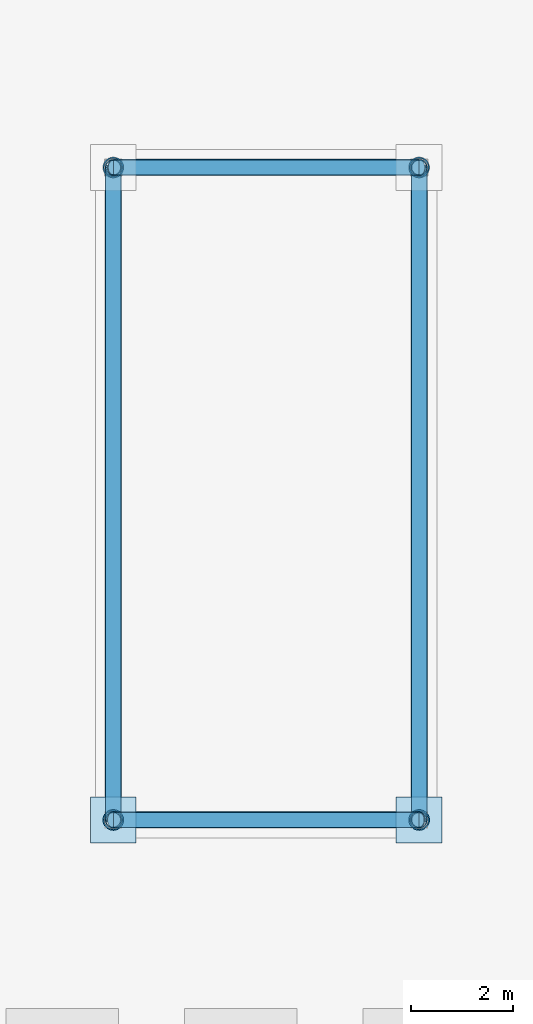
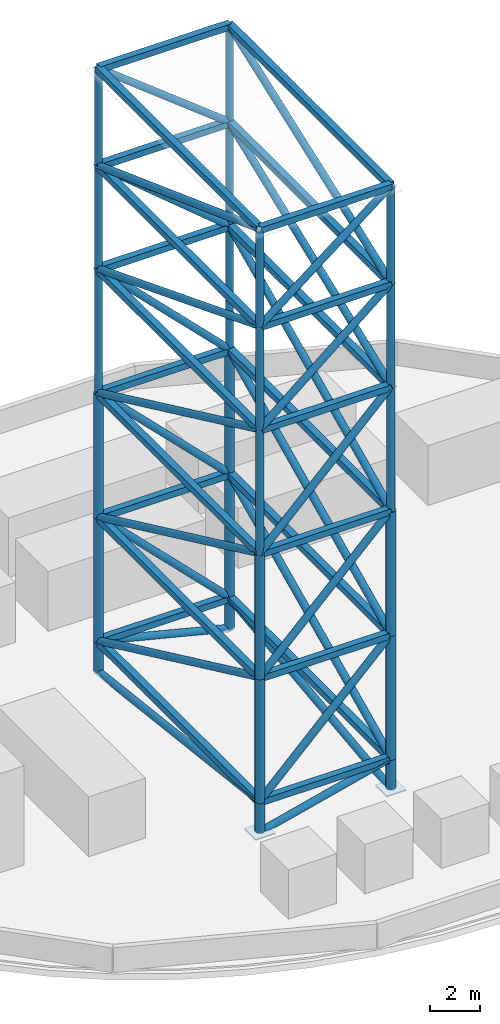
# One storey, part 1 of 4: 24 beams, 24 columns, 24 members, 2 plates.
"""IFC4 building model written with IfcOpenShell, lengths in metres."""

from ifc_helpers import new_model, si_unit, direction, frame, origin, origin_2d, place, context, subcontext, project, spatial, rectangle, hollow_rectangle, hollow_circle, extrude, material, layer, layer_set, material_profile, profile_set, type_object, element, save


model = new_model("IFC4")

# Units and contexts
model_context = context("Model", 3, precision=1e-05, world=origin(), true_north=direction((0.0, 1.0)))
body_context = subcontext(model_context, "Body", "Model", "MODEL_VIEW")
ifc_project = project(units=[si_unit("LENGTHUNIT", "METRE"), si_unit("AREAUNIT", "SQUARE_METRE"), si_unit("VOLUMEUNIT", "CUBIC_METRE"), si_unit("PLANEANGLEUNIT", "RADIAN"), si_unit("MASSUNIT", "GRAM", prefix="KILO")], contexts=[model_context])

# Site, building, storey
site_placement = place(None, origin())
site = spatial("IfcSite", under=ifc_project, at=site_placement, CompositionType="ELEMENT")
building_placement = place(site_placement, origin())
building = spatial("IfcBuilding", under=site, at=building_placement, Name="Kazevale Care Tower and Concert Hall", CompositionType="ELEMENT")
storey_placement = place(building_placement, frame((0.0, 0.0, 312.800048828125)))
storey = spatial("IfcBuildingStorey", under=building, at=storey_placement, Name="Roof Deck", CompositionType="ELEMENT", Elevation=312.800048828125)

# Columns
ifc_material = material(Name="Steel ASTM A572 Gr 50", Category="steel")
ifc_material_profile_1 = material_profile(ifc_material, hollow_circle(Radius=0.203125, WallThickness=0.02490234375, at=origin_2d()), Name="CHS406x25")
ifc_profile_set_1 = profile_set([ifc_material_profile_1], Name="Steel ASTM A572 Gr 50")
column_type_1 = type_object("IfcColumnType", Name="Broadcast Mast Leg CHS406x25", PredefinedType="USERDEFINED", material=ifc_profile_set_1)
for number, where, z_axis, x_axis, name in (
    (1, (30.0, 23.60009765625, 0.0), (0.0, 0.0, 1.0), (1.0, 0.0, 0.0), "col:RF:mast_leg:T1:L1"),
    (2, (36.0, 23.60009765625, 0.0), (0.0, 0.0, 1.0), (1.0, 0.0, 0.0), "col:RF:mast_leg:T1:L2"),
    (3, (36.0, 36.39990234375, 0.0), (0.0, 0.0, 1.0), (1.0, 0.0, 0.0), "col:RF:mast_leg:T1:L3"),
    (4, (30.0, 36.39990234375, 0.0), (0.0, 0.0, 1.0), (1.0, 0.0, 0.0), "col:RF:mast_leg:T1:L4"),
):
    element("IfcColumn", number, at=place(storey_placement, frame(where, z_axis=z_axis, x_axis=x_axis)), inside=storey, type_object=column_type_1, Name=name, ObjectType="MAST", PredefinedType="USERDEFINED", context=body_context, shape_type="SweptSolid", body=[
        extrude(hollow_circle(Radius=0.203125, WallThickness=0.02490234375, at=origin_2d()), origin(), (0.0, 0.0, 1.0), 1.5),
    ])
for number, where, z_axis, x_axis, name in (
    (5, (30.0, 23.60009765625, 1.5), (0.0, 0.0, 1.0), (1.0, 0.0, 0.0), "col:RF:mast_leg:T2:L1"),
    (6, (36.0, 23.60009765625, 1.5), (0.0, 0.0, 1.0), (1.0, 0.0, 0.0), "col:RF:mast_leg:T2:L2"),
    (7, (36.0, 36.39990234375, 1.5), (0.0, 0.0, 1.0), (1.0, 0.0, 0.0), "col:RF:mast_leg:T2:L3"),
    (8, (30.0, 36.39990234375, 1.5), (0.0, 0.0, 1.0), (1.0, 0.0, 0.0), "col:RF:mast_leg:T2:L4"),
    (9, (30.0, 23.60009765625, 7.5), (0.0, 0.0, 1.0), (1.0, 0.0, 0.0), "col:RF:mast_leg:T3:L1"),
    (10, (36.0, 23.60009765625, 7.5), (0.0, 0.0, 1.0), (1.0, 0.0, 0.0), "col:RF:mast_leg:T3:L2"),
    (11, (36.0, 36.39990234375, 7.5), (0.0, 0.0, 1.0), (1.0, 0.0, 0.0), "col:RF:mast_leg:T3:L3"),
    (12, (30.0, 36.39990234375, 7.5), (0.0, 0.0, 1.0), (1.0, 0.0, 0.0), "col:RF:mast_leg:T3:L4"),
):
    element("IfcColumn", number, at=place(storey_placement, frame(where, z_axis=z_axis, x_axis=x_axis)), inside=storey, type_object=column_type_1, Name=name, ObjectType="MAST", PredefinedType="USERDEFINED", context=body_context, shape_type="SweptSolid", body=[
        extrude(hollow_circle(Radius=0.203125, WallThickness=0.02490234375, at=origin_2d()), origin(), (0.0, 0.0, 1.0), 6.0),
    ])
ifc_material_profile_2 = material_profile(ifc_material, hollow_circle(Radius=0.161865234375, WallThickness=0.02001953125, at=origin_2d()), Name="CHS324x20")
ifc_profile_set_2 = profile_set([ifc_material_profile_2], Name="Steel ASTM A572 Gr 50")
column_type_2 = type_object("IfcColumnType", Name="Broadcast Mast Upper Leg CHS324x20", PredefinedType="USERDEFINED", material=ifc_profile_set_2)
for number, where, z_axis, x_axis, name in (
    (13, (30.0, 23.60009765625, 13.5), (0.0, 0.0, 1.0), (1.0, 0.0, 0.0), "col:RF:mast_leg:T4:L1"),
    (14, (36.0, 23.60009765625, 13.5), (0.0, 0.0, 1.0), (1.0, 0.0, 0.0), "col:RF:mast_leg:T4:L2"),
    (15, (36.0, 36.39990234375, 13.5), (0.0, 0.0, 1.0), (1.0, 0.0, 0.0), "col:RF:mast_leg:T4:L3"),
    (16, (30.0, 36.39990234375, 13.5), (0.0, 0.0, 1.0), (1.0, 0.0, 0.0), "col:RF:mast_leg:T4:L4"),
):
    element("IfcColumn", number, at=place(storey_placement, frame(where, z_axis=z_axis, x_axis=x_axis)), inside=storey, type_object=column_type_2, Name=name, ObjectType="MAST", PredefinedType="USERDEFINED", context=body_context, shape_type="SweptSolid", body=[
        extrude(hollow_circle(Radius=0.161865234375, WallThickness=0.02001953125, at=origin_2d()), origin(), (0.0, 0.0, 1.0), 6.0),
    ])
for number, where, z_axis, x_axis, name in (
    (17, (30.0, 23.60009765625, 19.5), (0.0, 0.0, 1.0), (1.0, 0.0, 0.0), "col:RF:mast_leg:T5:L1"),
    (18, (36.0, 23.60009765625, 19.5), (0.0, 0.0, 1.0), (1.0, 0.0, 0.0), "col:RF:mast_leg:T5:L2"),
    (19, (36.0, 36.39990234375, 19.5), (0.0, 0.0, 1.0), (1.0, 0.0, 0.0), "col:RF:mast_leg:T5:L3"),
    (20, (30.0, 36.39990234375, 19.5), (0.0, 0.0, 1.0), (1.0, 0.0, 0.0), "col:RF:mast_leg:T5:L4"),
):
    element("IfcColumn", number, at=place(storey_placement, frame(where, z_axis=z_axis, x_axis=x_axis)), inside=storey, type_object=column_type_2, Name=name, ObjectType="MAST", PredefinedType="USERDEFINED", context=body_context, shape_type="SweptSolid", body=[
        extrude(hollow_circle(Radius=0.161865234375, WallThickness=0.02001953125, at=origin_2d()), origin(), (0.0, 0.0, 1.0), 5.0),
    ])
for number, where, z_axis, x_axis, name in (
    (21, (30.0, 23.60009765625, 24.5), (0.0, 0.0, 1.0), (1.0, 0.0, 0.0), "col:RF:mast_leg:T6:L1"),
    (22, (36.0, 23.60009765625, 24.5), (0.0, 0.0, 1.0), (1.0, 0.0, 0.0), "col:RF:mast_leg:T6:L2"),
    (23, (36.0, 36.39990234375, 24.5), (0.0, 0.0, 1.0), (1.0, 0.0, 0.0), "col:RF:mast_leg:T6:L3"),
    (24, (30.0, 36.39990234375, 24.5), (0.0, 0.0, 1.0), (1.0, 0.0, 0.0), "col:RF:mast_leg:T6:L4"),
):
    element("IfcColumn", number, at=place(storey_placement, frame(where, z_axis=z_axis, x_axis=x_axis)), inside=storey, type_object=column_type_2, Name=name, ObjectType="MAST", PredefinedType="USERDEFINED", context=body_context, shape_type="SweptSolid", body=[
        extrude(hollow_circle(Radius=0.161865234375, WallThickness=0.02001953125, at=origin_2d()), origin(), (0.0, 0.0, 1.0), 4.699951171875),
    ])

# Members
ifc_material_profile_3 = material_profile(ifc_material, hollow_circle(Radius=0.161865234375, WallThickness=0.02001953125, at=origin_2d()), Name="CHS324x20")
ifc_profile_set_3 = profile_set([ifc_material_profile_3], Name="Steel ASTM A572 Gr 50")
member_type = type_object("IfcMemberType", Name="Broadcast Mast Diagonal CHS324x20", PredefinedType="USERDEFINED", material=ifc_profile_set_3)
member_1_placement = place(storey_placement, frame((30.0, 23.60009765625, 0.0), z_axis=(0.970142500145, 0.0, 0.242535625036), x_axis=(0.0, 1.0, 0.0)))
element("IfcMember", 25, at=member_1_placement, inside=storey, type_object=member_type, Name="brace:RF:mast_diag:T1:F1", ObjectType="MAST", PredefinedType="USERDEFINED", context=body_context, shape_type="SweptSolid", body=[
    extrude(hollow_circle(Radius=0.161865234375, WallThickness=0.02001953125, at=origin_2d()), origin(), (0.0, 0.0, 1.0), 6.1845703125),
])
member_2_placement = place(storey_placement, frame((36.0, 23.60009765625, 0.0), z_axis=(0.0, 0.993203262175, 0.116392783299), x_axis=(-1.0, 0.0, 0.0)))
element("IfcMember", 26, at=member_2_placement, inside=storey, type_object=member_type, Name="brace:RF:mast_diag:T1:F2", ObjectType="MAST", PredefinedType="USERDEFINED", context=body_context, shape_type="SweptSolid", body=[
    extrude(hollow_circle(Radius=0.161865234375, WallThickness=0.02001953125, at=origin_2d()), origin(), (0.0, 0.0, 1.0), 12.887451171875),
])
member_3_placement = place(storey_placement, frame((36.0, 36.39990234375, 0.0), z_axis=(-0.970142500145, 0.0, 0.242535625036), x_axis=(0.0, -1.0, 0.0)))
element("IfcMember", 27, at=member_3_placement, inside=storey, type_object=member_type, Name="brace:RF:mast_diag:T1:F3", ObjectType="MAST", PredefinedType="USERDEFINED", context=body_context, shape_type="SweptSolid", body=[
    extrude(hollow_circle(Radius=0.161865234375, WallThickness=0.02001953125, at=origin_2d()), origin(), (0.0, 0.0, 1.0), 6.1845703125),
])
member_4_placement = place(storey_placement, frame((30.0, 36.39990234375, 0.0), z_axis=(0.0, -0.993203262175, 0.116392783299), x_axis=(1.0, 0.0, 0.0)))
element("IfcMember", 28, at=member_4_placement, inside=storey, type_object=member_type, Name="brace:RF:mast_diag:T1:F4", ObjectType="MAST", PredefinedType="USERDEFINED", context=body_context, shape_type="SweptSolid", body=[
    extrude(hollow_circle(Radius=0.161865234375, WallThickness=0.02001953125, at=origin_2d()), origin(), (0.0, 0.0, 1.0), 12.887451171875),
])
member_5_placement = place(storey_placement, frame((30.0, 23.60009765625, 1.5), z_axis=(0.707106781187, 0.0, 0.707106781187), x_axis=(0.0, 1.0, 0.0)))
element("IfcMember", 29, at=member_5_placement, inside=storey, type_object=member_type, Name="brace:RF:mast_diag:T2:F1", ObjectType="MAST", PredefinedType="USERDEFINED", context=body_context, shape_type="SweptSolid", body=[
    extrude(hollow_circle(Radius=0.161865234375, WallThickness=0.02001953125, at=origin_2d()), origin(), (0.0, 0.0, 1.0), 8.4853515625),
])
member_6_placement = place(storey_placement, frame((36.0, 23.60009765625, 1.5), z_axis=(0.0, 0.905456447004, 0.424439185961), x_axis=(-1.0, 0.0, 0.0)))
element("IfcMember", 30, at=member_6_placement, inside=storey, type_object=member_type, Name="brace:RF:mast_diag:T2:F2", ObjectType="MAST", PredefinedType="USERDEFINED", context=body_context, shape_type="SweptSolid", body=[
    extrude(hollow_circle(Radius=0.161865234375, WallThickness=0.02001953125, at=origin_2d()), origin(), (0.0, 0.0, 1.0), 14.13623046875),
])
member_7_placement = place(storey_placement, frame((36.0, 36.39990234375, 1.5), z_axis=(-0.707106781187, 0.0, 0.707106781187), x_axis=(0.0, -1.0, 0.0)))
element("IfcMember", 31, at=member_7_placement, inside=storey, type_object=member_type, Name="brace:RF:mast_diag:T2:F3", ObjectType="MAST", PredefinedType="USERDEFINED", context=body_context, shape_type="SweptSolid", body=[
    extrude(hollow_circle(Radius=0.161865234375, WallThickness=0.02001953125, at=origin_2d()), origin(), (0.0, 0.0, 1.0), 8.4853515625),
])
member_8_placement = place(storey_placement, frame((30.0, 36.39990234375, 1.5), z_axis=(0.0, -0.905456447004, 0.424439185961), x_axis=(1.0, 0.0, 0.0)))
element("IfcMember", 32, at=member_8_placement, inside=storey, type_object=member_type, Name="brace:RF:mast_diag:T2:F4", ObjectType="MAST", PredefinedType="USERDEFINED", context=body_context, shape_type="SweptSolid", body=[
    extrude(hollow_circle(Radius=0.161865234375, WallThickness=0.02001953125, at=origin_2d()), origin(), (0.0, 0.0, 1.0), 14.13623046875),
])
member_9_placement = place(storey_placement, frame((30.0, 23.60009765625, 7.5), z_axis=(0.707106781187, 0.0, 0.707106781187), x_axis=(0.0, 1.0, 0.0)))
element("IfcMember", 33, at=member_9_placement, inside=storey, type_object=member_type, Name="brace:RF:mast_diag:T3:F1", ObjectType="MAST", PredefinedType="USERDEFINED", context=body_context, shape_type="SweptSolid", body=[
    extrude(hollow_circle(Radius=0.161865234375, WallThickness=0.02001953125, at=origin_2d()), origin(), (0.0, 0.0, 1.0), 8.4853515625),
])
member_10_placement = place(storey_placement, frame((36.0, 23.60009765625, 7.5), z_axis=(0.0, 0.905456447004, 0.424439185961), x_axis=(-1.0, 0.0, 0.0)))
element("IfcMember", 34, at=member_10_placement, inside=storey, type_object=member_type, Name="brace:RF:mast_diag:T3:F2", ObjectType="MAST", PredefinedType="USERDEFINED", context=body_context, shape_type="SweptSolid", body=[
    extrude(hollow_circle(Radius=0.161865234375, WallThickness=0.02001953125, at=origin_2d()), origin(), (0.0, 0.0, 1.0), 14.13623046875),
])
member_11_placement = place(storey_placement, frame((36.0, 36.39990234375, 7.5), z_axis=(-0.707106781187, 0.0, 0.707106781187), x_axis=(0.0, -1.0, 0.0)))
element("IfcMember", 35, at=member_11_placement, inside=storey, type_object=member_type, Name="brace:RF:mast_diag:T3:F3", ObjectType="MAST", PredefinedType="USERDEFINED", context=body_context, shape_type="SweptSolid", body=[
    extrude(hollow_circle(Radius=0.161865234375, WallThickness=0.02001953125, at=origin_2d()), origin(), (0.0, 0.0, 1.0), 8.4853515625),
])
member_12_placement = place(storey_placement, frame((30.0, 36.39990234375, 7.5), z_axis=(0.0, -0.905456447004, 0.424439185961), x_axis=(1.0, 0.0, 0.0)))
element("IfcMember", 36, at=member_12_placement, inside=storey, type_object=member_type, Name="brace:RF:mast_diag:T3:F4", ObjectType="MAST", PredefinedType="USERDEFINED", context=body_context, shape_type="SweptSolid", body=[
    extrude(hollow_circle(Radius=0.161865234375, WallThickness=0.02001953125, at=origin_2d()), origin(), (0.0, 0.0, 1.0), 14.13623046875),
])
member_13_placement = place(storey_placement, frame((30.0, 23.60009765625, 13.5), z_axis=(0.707106781187, 0.0, 0.707106781187), x_axis=(0.0, 1.0, 0.0)))
element("IfcMember", 37, at=member_13_placement, inside=storey, type_object=member_type, Name="brace:RF:mast_diag:T4:F1", ObjectType="MAST", PredefinedType="USERDEFINED", context=body_context, shape_type="SweptSolid", body=[
    extrude(hollow_circle(Radius=0.161865234375, WallThickness=0.02001953125, at=origin_2d()), origin(), (0.0, 0.0, 1.0), 8.4853515625),
])
member_14_placement = place(storey_placement, frame((36.0, 23.60009765625, 13.5), z_axis=(0.0, 0.905456447004, 0.424439185961), x_axis=(-1.0, 0.0, 0.0)))
element("IfcMember", 38, at=member_14_placement, inside=storey, type_object=member_type, Name="brace:RF:mast_diag:T4:F2", ObjectType="MAST", PredefinedType="USERDEFINED", context=body_context, shape_type="SweptSolid", body=[
    extrude(hollow_circle(Radius=0.161865234375, WallThickness=0.02001953125, at=origin_2d()), origin(), (0.0, 0.0, 1.0), 14.13623046875),
])
member_15_placement = place(storey_placement, frame((36.0, 36.39990234375, 13.5), z_axis=(-0.707106781187, 0.0, 0.707106781187), x_axis=(0.0, -1.0, 0.0)))
element("IfcMember", 39, at=member_15_placement, inside=storey, type_object=member_type, Name="brace:RF:mast_diag:T4:F3", ObjectType="MAST", PredefinedType="USERDEFINED", context=body_context, shape_type="SweptSolid", body=[
    extrude(hollow_circle(Radius=0.161865234375, WallThickness=0.02001953125, at=origin_2d()), origin(), (0.0, 0.0, 1.0), 8.4853515625),
])
member_16_placement = place(storey_placement, frame((30.0, 36.39990234375, 13.5), z_axis=(0.0, -0.905456447004, 0.424439185961), x_axis=(1.0, 0.0, 0.0)))
element("IfcMember", 40, at=member_16_placement, inside=storey, type_object=member_type, Name="brace:RF:mast_diag:T4:F4", ObjectType="MAST", PredefinedType="USERDEFINED", context=body_context, shape_type="SweptSolid", body=[
    extrude(hollow_circle(Radius=0.161865234375, WallThickness=0.02001953125, at=origin_2d()), origin(), (0.0, 0.0, 1.0), 14.13623046875),
])
member_17_placement = place(storey_placement, frame((30.0, 23.60009765625, 19.5), z_axis=(0.768221279597, 0.0, 0.640184399664), x_axis=(0.0, 1.0, 0.0)))
element("IfcMember", 41, at=member_17_placement, inside=storey, type_object=member_type, Name="brace:RF:mast_diag:T5:F1", ObjectType="MAST", PredefinedType="USERDEFINED", context=body_context, shape_type="SweptSolid", body=[
    extrude(hollow_circle(Radius=0.161865234375, WallThickness=0.02001953125, at=origin_2d()), origin(), (0.0, 0.0, 1.0), 7.810302734375),
])
member_18_placement = place(storey_placement, frame((36.0, 23.60009765625, 19.5), z_axis=(0.0, 0.931455467835, 0.363855344115), x_axis=(-1.0, 0.0, 0.0)))
element("IfcMember", 42, at=member_18_placement, inside=storey, type_object=member_type, Name="brace:RF:mast_diag:T5:F2", ObjectType="MAST", PredefinedType="USERDEFINED", context=body_context, shape_type="SweptSolid", body=[
    extrude(hollow_circle(Radius=0.161865234375, WallThickness=0.02001953125, at=origin_2d()), origin(), (0.0, 0.0, 1.0), 13.74169921875),
])
member_19_placement = place(storey_placement, frame((36.0, 36.39990234375, 19.5), z_axis=(-0.768221279597, 0.0, 0.640184399664), x_axis=(0.0, -1.0, 0.0)))
element("IfcMember", 43, at=member_19_placement, inside=storey, type_object=member_type, Name="brace:RF:mast_diag:T5:F3", ObjectType="MAST", PredefinedType="USERDEFINED", context=body_context, shape_type="SweptSolid", body=[
    extrude(hollow_circle(Radius=0.161865234375, WallThickness=0.02001953125, at=origin_2d()), origin(), (0.0, 0.0, 1.0), 7.810302734375),
])
member_20_placement = place(storey_placement, frame((30.0, 36.39990234375, 19.5), z_axis=(0.0, -0.931455467835, 0.363855344115), x_axis=(1.0, 0.0, 0.0)))
element("IfcMember", 44, at=member_20_placement, inside=storey, type_object=member_type, Name="brace:RF:mast_diag:T5:F4", ObjectType="MAST", PredefinedType="USERDEFINED", context=body_context, shape_type="SweptSolid", body=[
    extrude(hollow_circle(Radius=0.161865234375, WallThickness=0.02001953125, at=origin_2d()), origin(), (0.0, 0.0, 1.0), 13.74169921875),
])
member_21_placement = place(storey_placement, frame((30.0, 23.60009765625, 24.5), z_axis=(0.787231163579, 0.0, 0.616658004967), x_axis=(0.0, 1.0, 0.0)))
element("IfcMember", 45, at=member_21_placement, inside=storey, type_object=member_type, Name="brace:RF:mast_diag:T6:F1", ObjectType="MAST", PredefinedType="USERDEFINED", context=body_context, shape_type="SweptSolid", body=[
    extrude(hollow_circle(Radius=0.161865234375, WallThickness=0.02001953125, at=origin_2d()), origin(), (0.0, 0.0, 1.0), 7.62158203125),
])
member_22_placement = place(storey_placement, frame((36.0, 23.60009765625, 24.5), z_axis=(0.0, 0.938717650151, 0.344687065749), x_axis=(-1.0, 0.0, 0.0)))
element("IfcMember", 46, at=member_22_placement, inside=storey, type_object=member_type, Name="brace:RF:mast_diag:T6:F2", ObjectType="MAST", PredefinedType="USERDEFINED", context=body_context, shape_type="SweptSolid", body=[
    extrude(hollow_circle(Radius=0.161865234375, WallThickness=0.02001953125, at=origin_2d()), origin(), (0.0, 0.0, 1.0), 13.635498046875),
])
member_23_placement = place(storey_placement, frame((36.0, 36.39990234375, 24.5), z_axis=(-0.787231163579, 0.0, 0.616658004967), x_axis=(0.0, -1.0, 0.0)))
element("IfcMember", 47, at=member_23_placement, inside=storey, type_object=member_type, Name="brace:RF:mast_diag:T6:F3", ObjectType="MAST", PredefinedType="USERDEFINED", context=body_context, shape_type="SweptSolid", body=[
    extrude(hollow_circle(Radius=0.161865234375, WallThickness=0.02001953125, at=origin_2d()), origin(), (0.0, 0.0, 1.0), 7.62158203125),
])
member_24_placement = place(storey_placement, frame((30.0, 36.39990234375, 24.5), z_axis=(0.0, -0.938717650151, 0.344687065749), x_axis=(1.0, 0.0, 0.0)))
element("IfcMember", 48, at=member_24_placement, inside=storey, type_object=member_type, Name="brace:RF:mast_diag:T6:F4", ObjectType="MAST", PredefinedType="USERDEFINED", context=body_context, shape_type="SweptSolid", body=[
    extrude(hollow_circle(Radius=0.161865234375, WallThickness=0.02001953125, at=origin_2d()), origin(), (0.0, 0.0, 1.0), 13.635498046875),
])

# Beams
ifc_material_profile_4 = material_profile(ifc_material, hollow_rectangle(XDim=0.300048828125, YDim=0.300048828125, WallThickness=0.02001953125, at=origin_2d()), Name="SHS300x300x20")
ifc_profile_set_4 = profile_set([ifc_material_profile_4], Name="Steel ASTM A572 Gr 50")
beam_type = type_object("IfcBeamType", Name="Broadcast Mast Ring Beam SHS300x300x20", PredefinedType="USERDEFINED", material=ifc_profile_set_4)
beam_1_placement = place(storey_placement, frame((30.0, 23.60009765625, 1.5), z_axis=(1.0, 0.0, 0.0), x_axis=(0.0, 1.0, 0.0)))
element("IfcBeam", 49, at=beam_1_placement, inside=storey, type_object=beam_type, Name="beam:RF:mast_ring:T1:F1", ObjectType="MAST", PredefinedType="USERDEFINED", context=body_context, shape_type="SweptSolid", body=[
    extrude(hollow_rectangle(XDim=0.300048828125, YDim=0.300048828125, WallThickness=0.02001953125, at=origin_2d()), origin(), (0.0, 0.0, 1.0), 6.0),
])
beam_2_placement = place(storey_placement, frame((36.0, 23.60009765625, 1.5), z_axis=(0.0, 1.0, 0.0), x_axis=(-1.0, 0.0, 0.0)))
element("IfcBeam", 50, at=beam_2_placement, inside=storey, type_object=beam_type, Name="beam:RF:mast_ring:T1:F2", ObjectType="MAST", PredefinedType="USERDEFINED", context=body_context, shape_type="SweptSolid", body=[
    extrude(hollow_rectangle(XDim=0.300048828125, YDim=0.300048828125, WallThickness=0.02001953125, at=origin_2d()), origin(), (0.0, 0.0, 1.0), 12.7998046875),
])
beam_3_placement = place(storey_placement, frame((36.0, 36.39990234375, 1.5), z_axis=(-1.0, 0.0, 0.0), x_axis=(0.0, -1.0, 0.0)))
element("IfcBeam", 51, at=beam_3_placement, inside=storey, type_object=beam_type, Name="beam:RF:mast_ring:T1:F3", ObjectType="MAST", PredefinedType="USERDEFINED", context=body_context, shape_type="SweptSolid", body=[
    extrude(hollow_rectangle(XDim=0.300048828125, YDim=0.300048828125, WallThickness=0.02001953125, at=origin_2d()), origin(), (0.0, 0.0, 1.0), 6.0),
])
beam_4_placement = place(storey_placement, frame((30.0, 36.39990234375, 1.5), z_axis=(0.0, -1.0, 0.0), x_axis=(1.0, 0.0, 0.0)))
element("IfcBeam", 52, at=beam_4_placement, inside=storey, type_object=beam_type, Name="beam:RF:mast_ring:T1:F4", ObjectType="MAST", PredefinedType="USERDEFINED", context=body_context, shape_type="SweptSolid", body=[
    extrude(hollow_rectangle(XDim=0.300048828125, YDim=0.300048828125, WallThickness=0.02001953125, at=origin_2d()), origin(), (0.0, 0.0, 1.0), 12.7998046875),
])
beam_5_placement = place(storey_placement, frame((30.0, 23.60009765625, 7.5), z_axis=(1.0, 0.0, 0.0), x_axis=(0.0, 1.0, 0.0)))
element("IfcBeam", 53, at=beam_5_placement, inside=storey, type_object=beam_type, Name="beam:RF:mast_ring:T2:F1", ObjectType="MAST", PredefinedType="USERDEFINED", context=body_context, shape_type="SweptSolid", body=[
    extrude(hollow_rectangle(XDim=0.300048828125, YDim=0.300048828125, WallThickness=0.02001953125, at=origin_2d()), origin(), (0.0, 0.0, 1.0), 6.0),
])
beam_6_placement = place(storey_placement, frame((36.0, 23.60009765625, 7.5), z_axis=(0.0, 1.0, 0.0), x_axis=(-1.0, 0.0, 0.0)))
element("IfcBeam", 54, at=beam_6_placement, inside=storey, type_object=beam_type, Name="beam:RF:mast_ring:T2:F2", ObjectType="MAST", PredefinedType="USERDEFINED", context=body_context, shape_type="SweptSolid", body=[
    extrude(hollow_rectangle(XDim=0.300048828125, YDim=0.300048828125, WallThickness=0.02001953125, at=origin_2d()), origin(), (0.0, 0.0, 1.0), 12.7998046875),
])
beam_7_placement = place(storey_placement, frame((36.0, 36.39990234375, 7.5), z_axis=(-1.0, 0.0, 0.0), x_axis=(0.0, -1.0, 0.0)))
element("IfcBeam", 55, at=beam_7_placement, inside=storey, type_object=beam_type, Name="beam:RF:mast_ring:T2:F3", ObjectType="MAST", PredefinedType="USERDEFINED", context=body_context, shape_type="SweptSolid", body=[
    extrude(hollow_rectangle(XDim=0.300048828125, YDim=0.300048828125, WallThickness=0.02001953125, at=origin_2d()), origin(), (0.0, 0.0, 1.0), 6.0),
])
beam_8_placement = place(storey_placement, frame((30.0, 36.39990234375, 7.5), z_axis=(0.0, -1.0, 0.0), x_axis=(1.0, 0.0, 0.0)))
element("IfcBeam", 56, at=beam_8_placement, inside=storey, type_object=beam_type, Name="beam:RF:mast_ring:T2:F4", ObjectType="MAST", PredefinedType="USERDEFINED", context=body_context, shape_type="SweptSolid", body=[
    extrude(hollow_rectangle(XDim=0.300048828125, YDim=0.300048828125, WallThickness=0.02001953125, at=origin_2d()), origin(), (0.0, 0.0, 1.0), 12.7998046875),
])
beam_9_placement = place(storey_placement, frame((30.0, 23.60009765625, 13.5), z_axis=(1.0, 0.0, 0.0), x_axis=(0.0, 1.0, 0.0)))
element("IfcBeam", 57, at=beam_9_placement, inside=storey, type_object=beam_type, Name="beam:RF:mast_ring:T3:F1", ObjectType="MAST", PredefinedType="USERDEFINED", context=body_context, shape_type="SweptSolid", body=[
    extrude(hollow_rectangle(XDim=0.300048828125, YDim=0.300048828125, WallThickness=0.02001953125, at=origin_2d()), origin(), (0.0, 0.0, 1.0), 6.0),
])
beam_10_placement = place(storey_placement, frame((36.0, 23.60009765625, 13.5), z_axis=(0.0, 1.0, 0.0), x_axis=(-1.0, 0.0, 0.0)))
element("IfcBeam", 58, at=beam_10_placement, inside=storey, type_object=beam_type, Name="beam:RF:mast_ring:T3:F2", ObjectType="MAST", PredefinedType="USERDEFINED", context=body_context, shape_type="SweptSolid", body=[
    extrude(hollow_rectangle(XDim=0.300048828125, YDim=0.300048828125, WallThickness=0.02001953125, at=origin_2d()), origin(), (0.0, 0.0, 1.0), 12.7998046875),
])
beam_11_placement = place(storey_placement, frame((36.0, 36.39990234375, 13.5), z_axis=(-1.0, 0.0, 0.0), x_axis=(0.0, -1.0, 0.0)))
element("IfcBeam", 59, at=beam_11_placement, inside=storey, type_object=beam_type, Name="beam:RF:mast_ring:T3:F3", ObjectType="MAST", PredefinedType="USERDEFINED", context=body_context, shape_type="SweptSolid", body=[
    extrude(hollow_rectangle(XDim=0.300048828125, YDim=0.300048828125, WallThickness=0.02001953125, at=origin_2d()), origin(), (0.0, 0.0, 1.0), 6.0),
])
beam_12_placement = place(storey_placement, frame((30.0, 36.39990234375, 13.5), z_axis=(0.0, -1.0, 0.0), x_axis=(1.0, 0.0, 0.0)))
element("IfcBeam", 60, at=beam_12_placement, inside=storey, type_object=beam_type, Name="beam:RF:mast_ring:T3:F4", ObjectType="MAST", PredefinedType="USERDEFINED", context=body_context, shape_type="SweptSolid", body=[
    extrude(hollow_rectangle(XDim=0.300048828125, YDim=0.300048828125, WallThickness=0.02001953125, at=origin_2d()), origin(), (0.0, 0.0, 1.0), 12.7998046875),
])
beam_13_placement = place(storey_placement, frame((30.0, 23.60009765625, 19.5), z_axis=(1.0, 0.0, 0.0), x_axis=(0.0, 1.0, 0.0)))
element("IfcBeam", 61, at=beam_13_placement, inside=storey, type_object=beam_type, Name="beam:RF:mast_ring:T4:F1", ObjectType="MAST", PredefinedType="USERDEFINED", context=body_context, shape_type="SweptSolid", body=[
    extrude(hollow_rectangle(XDim=0.300048828125, YDim=0.300048828125, WallThickness=0.02001953125, at=origin_2d()), origin(), (0.0, 0.0, 1.0), 6.0),
])
beam_14_placement = place(storey_placement, frame((36.0, 23.60009765625, 19.5), z_axis=(0.0, 1.0, 0.0), x_axis=(-1.0, 0.0, 0.0)))
element("IfcBeam", 62, at=beam_14_placement, inside=storey, type_object=beam_type, Name="beam:RF:mast_ring:T4:F2", ObjectType="MAST", PredefinedType="USERDEFINED", context=body_context, shape_type="SweptSolid", body=[
    extrude(hollow_rectangle(XDim=0.300048828125, YDim=0.300048828125, WallThickness=0.02001953125, at=origin_2d()), origin(), (0.0, 0.0, 1.0), 12.7998046875),
])
beam_15_placement = place(storey_placement, frame((36.0, 36.39990234375, 19.5), z_axis=(-1.0, 0.0, 0.0), x_axis=(0.0, -1.0, 0.0)))
element("IfcBeam", 63, at=beam_15_placement, inside=storey, type_object=beam_type, Name="beam:RF:mast_ring:T4:F3", ObjectType="MAST", PredefinedType="USERDEFINED", context=body_context, shape_type="SweptSolid", body=[
    extrude(hollow_rectangle(XDim=0.300048828125, YDim=0.300048828125, WallThickness=0.02001953125, at=origin_2d()), origin(), (0.0, 0.0, 1.0), 6.0),
])
beam_16_placement = place(storey_placement, frame((30.0, 36.39990234375, 19.5), z_axis=(0.0, -1.0, 0.0), x_axis=(1.0, 0.0, 0.0)))
element("IfcBeam", 64, at=beam_16_placement, inside=storey, type_object=beam_type, Name="beam:RF:mast_ring:T4:F4", ObjectType="MAST", PredefinedType="USERDEFINED", context=body_context, shape_type="SweptSolid", body=[
    extrude(hollow_rectangle(XDim=0.300048828125, YDim=0.300048828125, WallThickness=0.02001953125, at=origin_2d()), origin(), (0.0, 0.0, 1.0), 12.7998046875),
])
beam_17_placement = place(storey_placement, frame((30.0, 23.60009765625, 24.5), z_axis=(1.0, 0.0, 0.0), x_axis=(0.0, 1.0, 0.0)))
element("IfcBeam", 65, at=beam_17_placement, inside=storey, type_object=beam_type, Name="beam:RF:mast_ring:T5:F1", ObjectType="MAST", PredefinedType="USERDEFINED", context=body_context, shape_type="SweptSolid", body=[
    extrude(hollow_rectangle(XDim=0.300048828125, YDim=0.300048828125, WallThickness=0.02001953125, at=origin_2d()), origin(), (0.0, 0.0, 1.0), 6.0),
])
beam_18_placement = place(storey_placement, frame((36.0, 23.60009765625, 24.5), z_axis=(0.0, 1.0, 0.0), x_axis=(-1.0, 0.0, 0.0)))
element("IfcBeam", 66, at=beam_18_placement, inside=storey, type_object=beam_type, Name="beam:RF:mast_ring:T5:F2", ObjectType="MAST", PredefinedType="USERDEFINED", context=body_context, shape_type="SweptSolid", body=[
    extrude(hollow_rectangle(XDim=0.300048828125, YDim=0.300048828125, WallThickness=0.02001953125, at=origin_2d()), origin(), (0.0, 0.0, 1.0), 12.7998046875),
])
beam_19_placement = place(storey_placement, frame((36.0, 36.39990234375, 24.5), z_axis=(-1.0, 0.0, 0.0), x_axis=(0.0, -1.0, 0.0)))
element("IfcBeam", 67, at=beam_19_placement, inside=storey, type_object=beam_type, Name="beam:RF:mast_ring:T5:F3", ObjectType="MAST", PredefinedType="USERDEFINED", context=body_context, shape_type="SweptSolid", body=[
    extrude(hollow_rectangle(XDim=0.300048828125, YDim=0.300048828125, WallThickness=0.02001953125, at=origin_2d()), origin(), (0.0, 0.0, 1.0), 6.0),
])
beam_20_placement = place(storey_placement, frame((30.0, 36.39990234375, 24.5), z_axis=(0.0, -1.0, 0.0), x_axis=(1.0, 0.0, 0.0)))
element("IfcBeam", 68, at=beam_20_placement, inside=storey, type_object=beam_type, Name="beam:RF:mast_ring:T5:F4", ObjectType="MAST", PredefinedType="USERDEFINED", context=body_context, shape_type="SweptSolid", body=[
    extrude(hollow_rectangle(XDim=0.300048828125, YDim=0.300048828125, WallThickness=0.02001953125, at=origin_2d()), origin(), (0.0, 0.0, 1.0), 12.7998046875),
])
beam_21_placement = place(storey_placement, frame((30.0, 23.60009765625, 29.199951171875), z_axis=(1.0, 0.0, 0.0), x_axis=(0.0, 1.0, 0.0)))
element("IfcBeam", 69, at=beam_21_placement, inside=storey, type_object=beam_type, Name="beam:RF:mast_ring:T6:F1", ObjectType="MAST", PredefinedType="USERDEFINED", context=body_context, shape_type="SweptSolid", body=[
    extrude(hollow_rectangle(XDim=0.300048828125, YDim=0.300048828125, WallThickness=0.02001953125, at=origin_2d()), origin(), (0.0, 0.0, 1.0), 6.0),
])
beam_22_placement = place(storey_placement, frame((36.0, 23.60009765625, 29.199951171875), z_axis=(0.0, 1.0, 0.0), x_axis=(-1.0, 0.0, 0.0)))
element("IfcBeam", 70, at=beam_22_placement, inside=storey, type_object=beam_type, Name="beam:RF:mast_ring:T6:F2", ObjectType="MAST", PredefinedType="USERDEFINED", context=body_context, shape_type="SweptSolid", body=[
    extrude(hollow_rectangle(XDim=0.300048828125, YDim=0.300048828125, WallThickness=0.02001953125, at=origin_2d()), origin(), (0.0, 0.0, 1.0), 12.7998046875),
])
beam_23_placement = place(storey_placement, frame((36.0, 36.39990234375, 29.199951171875), z_axis=(-1.0, 0.0, 0.0), x_axis=(0.0, -1.0, 0.0)))
element("IfcBeam", 71, at=beam_23_placement, inside=storey, type_object=beam_type, Name="beam:RF:mast_ring:T6:F3", ObjectType="MAST", PredefinedType="USERDEFINED", context=body_context, shape_type="SweptSolid", body=[
    extrude(hollow_rectangle(XDim=0.300048828125, YDim=0.300048828125, WallThickness=0.02001953125, at=origin_2d()), origin(), (0.0, 0.0, 1.0), 6.0),
])
beam_24_placement = place(storey_placement, frame((30.0, 36.39990234375, 29.199951171875), z_axis=(0.0, -1.0, 0.0), x_axis=(1.0, 0.0, 0.0)))
element("IfcBeam", 72, at=beam_24_placement, inside=storey, type_object=beam_type, Name="beam:RF:mast_ring:T6:F4", ObjectType="MAST", PredefinedType="USERDEFINED", context=body_context, shape_type="SweptSolid", body=[
    extrude(hollow_rectangle(XDim=0.300048828125, YDim=0.300048828125, WallThickness=0.02001953125, at=origin_2d()), origin(), (0.0, 0.0, 1.0), 12.7998046875),
])

# Plates
ifc_layer = layer(ifc_material, 0.06005859375)
ifc_layer_set = layer_set([ifc_layer], Name="Steel ASTM A572 Gr 50")
plate_type = type_object("IfcPlateType", Name="Broadcast Mast Base Plate 60mm", PredefinedType="USERDEFINED", material=ifc_layer_set)
for number, where, z_axis, x_axis, name in (
    (73, (30.0, 23.60009765625, 0.0), (0.0, 0.0, 1.0), (1.0, 0.0, 0.0), "plate:RF:mast_base:ML1"),
    (74, (36.0, 23.60009765625, 0.0), (0.0, 0.0, 1.0), (1.0, 0.0, 0.0), "plate:RF:mast_base:ML2"),
):
    element("IfcPlate", number, at=place(storey_placement, frame(where, z_axis=z_axis, x_axis=x_axis)), inside=storey, type_object=plate_type, Name=name, ObjectType="BASE_PLATE", PredefinedType="USERDEFINED", context=body_context, shape_type="SweptSolid", body=[
        extrude(rectangle(XDim=0.89990234375, YDim=0.89990234375, at=origin_2d()), origin(), (0.0, 0.0, 1.0), 0.06005859375),
    ])

save(model, "model.ifc")
